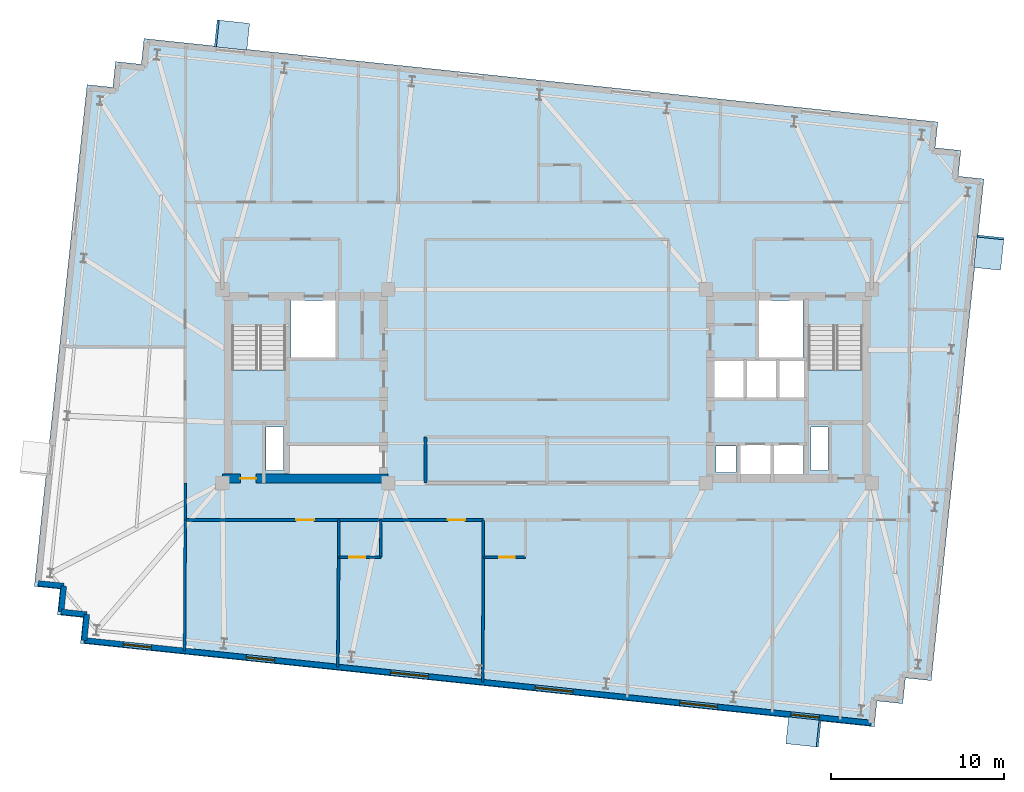
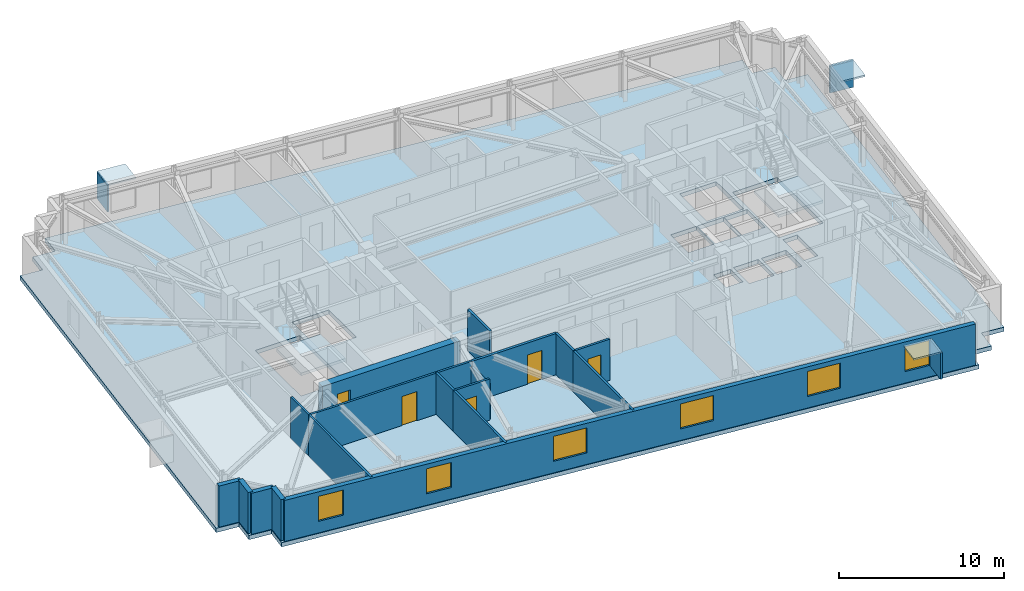
# One storey, part 5 of 11: 19 walls, 6 plates, 6 windows, 5 doors, 3 slabs, 11 openings, 2 elements without a shape of their own.
"""IFC4 building model written with IfcOpenShell, lengths in metres."""

from ifc_helpers import new_model, si_unit, direction, frame, frame_2d, origin, origin_2d, place, context, subcontext, project, spatial, polyline, rectangle, outline, extrude, material, layer, layer_set, type_object, element, fill, aggregate, save


model = new_model("IFC4")

# Units and contexts
model_context = context("Model", 3, precision=1e-05, world=origin(), true_north=direction((0.0, 1.0)))
body_context = subcontext(model_context, "Body", "Model", "MODEL_VIEW")
ifc_project = project(units=[si_unit("LENGTHUNIT", "METRE"), si_unit("AREAUNIT", "SQUARE_METRE"), si_unit("VOLUMEUNIT", "CUBIC_METRE"), si_unit("PLANEANGLEUNIT", "RADIAN"), si_unit("MASSUNIT", "GRAM", prefix="KILO")], contexts=[model_context])

# Site, building, storey
site_placement = place(None, origin())
site = spatial("IfcSite", under=ifc_project, at=site_placement, CompositionType="ELEMENT")
building_placement = place(site_placement, origin())
building = spatial("IfcBuilding", under=site, at=building_placement, Name="Qobustan Lattice House", CompositionType="ELEMENT")
storey_placement = place(building_placement, frame((0.0, 0.0, 193.050048828125)))
storey = spatial("IfcBuildingStorey", under=building, at=storey_placement, Name="L54", CompositionType="ELEMENT", Elevation=193.050048828125)

# Plates
ifc_material_1 = material(Name="Qobustan limestone GFRC", Category="masonry")
ifc_layer_1 = layer(ifc_material_1, 0.1201171875)
ifc_layer_set_1 = layer_set([ifc_layer_1], Name="Qobustan limestone GFRC")
plate_type = type_object("IfcPlateType", Name="SHD-HOOD-BROW", PredefinedType="USERDEFINED", material=ifc_layer_set_1)
plate_1_placement = place(storey_placement, frame((-18.240966796875, 20.31689453125, 2.699951171875), z_axis=(0.0, 0.0, 1.0), x_axis=(0.994521895368, -0.104528463268, 0.0)))
element("IfcPlate", 1, at=plate_1_placement, inside=storey, type_object=plate_type, Name="L54 splayed Qobustan stone hood brow", ObjectType="SUNSHADE", PredefinedType="USERDEFINED", context=body_context, shape_type="SweptSolid", body=[
    extrude(rectangle(XDim=1.889892578125, YDim=1.56005859375, at=origin_2d()), origin(), (0.0, 0.0, 1.0), 0.1201171875),
])
plate_2_placement = place(storey_placement, frame((-19.12109375, 20.409423828125, 0.7900390625), z_axis=(0.0, 0.0, 1.0), x_axis=(0.994521895368, -0.104528463268, 0.0)))
element("IfcPlate", 2, at=plate_2_placement, inside=storey, type_object=plate_type, Name="L54 splayed Qobustan stone hood cheek", ObjectType="SUNSHADE", PredefinedType="USERDEFINED", context=body_context, shape_type="SweptSolid", body=[
    extrude(rectangle(XDim=0.1201171875, YDim=1.56005859375, at=origin_2d()), origin(), (0.0, 0.0, 1.0), 1.969970703125),
])
plate_3_placement = place(storey_placement, frame((25.56884765625, 7.7275390625, 2.699951171875), z_axis=(0.0, 0.0, 1.0), x_axis=(-0.104528463268, -0.994521895368, 0.0)))
element("IfcPlate", 3, at=plate_3_placement, inside=storey, type_object=plate_type, Name="L54 splayed Qobustan stone hood brow", ObjectType="SUNSHADE", PredefinedType="USERDEFINED", context=body_context, shape_type="SweptSolid", body=[
    extrude(rectangle(XDim=1.889892578125, YDim=1.56005859375, at=origin_2d()), origin(), (0.0, 0.0, 1.0), 0.1201171875),
])
plate_4_placement = place(storey_placement, frame((25.661376953125, 8.607666015625, 0.7900390625), z_axis=(0.0, 0.0, 1.0), x_axis=(-0.104528463268, -0.994521895368, 0.0)))
element("IfcPlate", 4, at=plate_4_placement, inside=storey, type_object=plate_type, Name="L54 splayed Qobustan stone hood cheek", ObjectType="SUNSHADE", PredefinedType="USERDEFINED", context=body_context, shape_type="SweptSolid", body=[
    extrude(rectangle(XDim=0.1201171875, YDim=1.56005859375, at=origin_2d()), origin(), (0.0, 0.0, 1.0), 1.969970703125),
])
plate_5_placement = place(storey_placement, frame((14.836181640625, -20.021484375, 2.699951171875), z_axis=(0.0, 0.0, 1.0), x_axis=(-0.994521895368, 0.104528463268, 0.0)))
element("IfcPlate", 5, at=plate_5_placement, inside=storey, type_object=plate_type, Name="L54 splayed Qobustan stone hood brow", ObjectType="SUNSHADE", PredefinedType="USERDEFINED", context=body_context, shape_type="SweptSolid", body=[
    extrude(rectangle(XDim=1.889892578125, YDim=1.56005859375, at=origin_2d()), origin(), (0.0, 0.0, 1.0), 0.1201171875),
])
plate_6_placement = place(storey_placement, frame((15.71630859375, -20.114013671875, 0.7900390625), z_axis=(0.0, 0.0, 1.0), x_axis=(-0.994521895368, 0.104528463268, 0.0)))
element("IfcPlate", 6, at=plate_6_placement, inside=storey, type_object=plate_type, Name="L54 splayed Qobustan stone hood cheek", ObjectType="SUNSHADE", PredefinedType="USERDEFINED", context=body_context, shape_type="SweptSolid", body=[
    extrude(rectangle(XDim=0.1201171875, YDim=1.56005859375, at=origin_2d()), origin(), (0.0, 0.0, 1.0), 1.969970703125),
])

# Slab
ifc_material_2 = material(Name="Concrete C40/50", Category="concrete")
ifc_layer_2 = layer(ifc_material_2, 0.31005859375)
ifc_layer_set_2 = layer_set([ifc_layer_2], Name="Concrete C40/50")
slab_type_1 = type_object("IfcSlabType", Name="SLB-FLR-310", PredefinedType="FLOOR", material=ifc_layer_set_2)
slab_1_placement = place(storey_placement, frame((0.0, 0.0, -0.31005859375)))
element("IfcSlab", 7, at=slab_1_placement, inside=storey, type_object=slab_type_1, Name="L54 structural floor slab", PredefinedType="FLOOR", context=body_context, shape_type="SweptSolid", body=[
    extrude(outline(polyline([(-27.01318359375, -14.888916015625), (18.933837890625, -19.71826171875), (19.090576171875, -18.226318359375), (20.582275390625, -18.38330078125), (20.739013671875, -16.891357421875), (22.23095703125, -17.048095703125), (25.283203125, 11.99169921875), (23.79150390625, 12.148681640625), (23.947998046875, 13.640380859375), (22.456298828125, 13.797119140625), (22.61328125, 15.2890625), (-23.333740234375, 20.1181640625), (-23.490478515625, 18.62646484375), (-24.982421875, 18.783203125), (-25.13916015625, 17.29150390625), (-26.630859375, 17.4482421875), (-29.68310546875, -11.591796875), (-28.19140625, -11.74853515625), (-28.34814453125, -13.240478515625), (-26.8564453125, -13.397216796875), (-27.01318359375, -14.888916015625)]), holes=[polyline([(-18.25, -2.050048828125), (-18.25, 3.489990234375), (-15.1298828125, 3.489990234375), (-15.1298828125, -2.050048828125), (-18.25, -2.050048828125)]), polyline([(15.1298828125, -2.050048828125), (15.1298828125, 3.489990234375), (18.25, 3.489990234375), (18.25, -2.050048828125), (15.1298828125, -2.050048828125)]), polyline([(-14.820068359375, 1.64990234375), (-14.820068359375, 4.9599609375), (-12.25, 4.9599609375), (-12.25, 1.64990234375), (-14.820068359375, 1.64990234375)]), polyline([(12.25, 1.64990234375), (12.25, 4.9599609375), (14.820068359375, 4.9599609375), (14.820068359375, 1.64990234375), (12.25, 1.64990234375)]), polyline([(-16.260009765625, -4.8798828125), (-16.260009765625, -2.360107421875), (-15.260009765625, -2.360107421875), (-15.260009765625, -4.8798828125), (-16.260009765625, -4.8798828125)]), polyline([(15.260009765625, -4.8798828125), (15.260009765625, -2.360107421875), (16.260009765625, -2.360107421875), (16.260009765625, -4.8798828125), (15.260009765625, -4.8798828125)]), polyline([(11.179931640625, -5.35009765625), (11.179931640625, -3.419921875), (12.919921875, -3.419921875), (12.919921875, -5.35009765625), (11.179931640625, -5.35009765625)]), polyline([(13.1201171875, -5.35009765625), (13.1201171875, -3.419921875), (14.85009765625, -3.419921875), (14.85009765625, -5.35009765625), (13.1201171875, -5.35009765625)]), polyline([(9.760009765625, -5.0), (9.760009765625, -3.47998046875), (10.93994140625, -3.47998046875), (10.93994140625, -5.0), (9.760009765625, -5.0)]), polyline([(13.360107421875, -0.679931640625), (13.360107421875, 1.47998046875), (14.97998046875, 1.47998046875), (14.97998046875, -0.679931640625), (13.360107421875, -0.679931640625)]), polyline([(9.6201171875, -0.679931640625), (9.6201171875, 1.47998046875), (11.43994140625, 1.47998046875), (11.43994140625, -0.679931640625), (9.6201171875, -0.679931640625)]), polyline([(11.5, -0.679931640625), (11.5, 1.47998046875), (13.320068359375, 1.47998046875), (13.320068359375, -0.679931640625), (11.5, -0.679931640625)])]), origin(), (0.0, 0.0, 1.0), 0.31005859375),
])

# Stair, slab
ifc_material_3 = material(Name="Concrete C40/50", Category="concrete")
stair_type = type_object("IfcStairType", Name="STR-CORE-DOGLEG", PredefinedType="HALF_TURN_STAIR", material=ifc_material_3)
stair_1_placement = place(storey_placement, origin())
stair_1 = element("IfcStair", 8, at=stair_1_placement, inside=storey, type_object=stair_type, Name="L54 West protected exit stair ST-W1", PredefinedType="HALF_TURN_STAIR")
ifc_material_4 = material(Name="Concrete C40/50", Category="concrete")
ifc_layer_3 = layer(ifc_material_4, 0.199951171875)
ifc_layer_set_3 = layer_set([ifc_layer_3], Name="Concrete C40/50")
slab_type_2 = type_object("IfcSlabType", Name="SLB-LANDING-200", PredefinedType="LANDING", material=ifc_layer_set_3)
slab_2_placement = place(storey_placement, frame((0.0, 0.0, 1.474853515625)))
slab_2 = element("IfcSlab", 9, at=slab_2_placement, type_object=slab_type_2, Name="ST-W1 landing 1", PredefinedType="LANDING", context=body_context, shape_type="SweptSolid", body=[
    extrude(outline(polyline([(-18.25, 0.93505859375), (-18.25, -2.050048828125), (-15.1298828125, -2.050048828125), (-15.1298828125, 0.93505859375), (-18.25, 0.93505859375)])), origin(), (0.0, 0.0, 1.0), 0.2001953125),
])
aggregate(stair_1, [slab_2])

stair_2_placement = place(storey_placement, origin())
stair_2 = element("IfcStair", 10, at=stair_2_placement, inside=storey, type_object=stair_type, Name="L54 East protected exit stair ST-E1", PredefinedType="HALF_TURN_STAIR")
slab_3_placement = place(storey_placement, frame((0.0, 0.0, 1.474853515625)))
slab_3 = element("IfcSlab", 11, at=slab_3_placement, type_object=slab_type_2, Name="ST-E1 landing 1", PredefinedType="LANDING", context=body_context, shape_type="SweptSolid", body=[
    extrude(outline(polyline([(15.1298828125, 0.93505859375), (15.1298828125, -2.050048828125), (18.25, -2.050048828125), (18.25, 0.93505859375), (15.1298828125, 0.93505859375)])), origin(), (0.0, 0.0, 1.0), 0.2001953125),
])
aggregate(stair_2, [slab_3])

# Wall, opening, door
ifc_material_5 = material(Name="Concrete C50/60", Category="concrete")
ifc_layer_4 = layer(ifc_material_5, 0.5)
ifc_layer_set_4 = layer_set([ifc_layer_4], Name="Concrete C50/60")
wall_type_1 = type_object("IfcWallType", Name="WAL-CORE-500", PredefinedType="SHEAR", material=ifc_layer_set_4)
wall_1_placement = place(storey_placement, frame((-18.800048828125, -5.35009765625, 0.0), z_axis=(0.0, 0.0, 1.0), x_axis=(1.0, 0.0, 0.0)))
wall_1 = element("IfcWall", 12, at=wall_1_placement, inside=storey, type_object=wall_type_1, Name="L54 split-core shear wall CW-S", PredefinedType="SHEAR", context=body_context, shape_type="SweptSolid", body=[
    extrude(rectangle(XDim=9.60009765625, YDim=0.5, at=frame_2d((4.800048828125, 0.0))), origin(), (0.0, 0.0, 1.0), 3.0400390625),
])
opening_1_placement = place(wall_1_placement, frame((1.050048828125, 0.0, 0.0)))
opening_1 = element("IfcOpeningElement", 13, at=opening_1_placement, cuts=wall_1, Name="Opening RD-01", PredefinedType="OPENING", context=body_context, shape_type="SweptSolid", body=[
    extrude(rectangle(XDim=0.89990234375, YDim=2.10009765625, at=frame_2d((0.449951171875, 1.050048828125))), frame((0.0, 0.260009765625, 0.0), z_axis=(0.0, -1.0, 0.0), x_axis=(1.0, 0.0, 0.0)), (0.0, 0.0, 1.0), 0.52001953125),
])
ifc_material_6 = material(Name="Persian walnut timber and steel frame door", Category="steel")
door_type_1 = type_object("IfcDoorType", Name="DOR-RISER-FD-900x2100", OperationType="NOTDEFINED", PredefinedType="DOOR", material=ifc_material_6)
door_1_placement = place(opening_1_placement, origin())
door_1 = element("IfcDoor", 14, at=door_1_placement, inside=storey, type_object=door_type_1, Name="L54 core service riser access door W", OperationType="SINGLE_SWING_LEFT", OverallHeight=2.10009765625, OverallWidth=0.89990234375, PredefinedType="DOOR", context=body_context, shape_type="SweptSolid", body=[
    extrude(rectangle(XDim=0.89990234375, YDim=2.10009765625, at=frame_2d((0.449951171875, 1.050048828125))), frame((0.0, 0.02490234375, 0.0), z_axis=(0.0, -1.0, 0.0), x_axis=(1.0, 0.0, 0.0)), (0.0, 0.0, 1.0), 0.050048828125),
])
fill(opening_1, door_1)

# Walls
ifc_material_7 = material(Name="Precast concrete C40/50", Category="concrete")
ifc_layer_5 = layer(ifc_material_7, 0.320068359375)
ifc_layer_set_5 = layer_set([ifc_layer_5], Name="Precast concrete C40/50")
wall_type_2 = type_object("IfcWallType", Name="WAL-EXT-STONE-320", PredefinedType="SOLIDWALL", material=ifc_layer_set_5)
for number, where, z_axis, x_axis, name in (
    (15, (-26.79345703125, -14.7109375, 0.0), (0.0, 0.0, 1.0), (0.104498377516, 0.994525057048, 0.0), "L54 exterior limestone-clad wall 1"),
    (16, (-26.63671875, -13.21923828125, 0.0), (0.0, 0.0, 1.0), (-0.994525057048, 0.104498377516, 0.0), "L54 exterior limestone-clad wall 2"),
):
    element("IfcWall", number, at=place(storey_placement, frame(where, z_axis=z_axis, x_axis=x_axis)), inside=storey, type_object=wall_type_2, Name=name, PredefinedType="SOLIDWALL", context=body_context, shape_type="SweptSolid", body=[
        extrude(rectangle(XDim=1.5, YDim=0.320068359375, at=frame_2d((0.75, 0.0))), origin(), (0.0, 0.0, 1.0), 3.0400390625),
    ])
wall_2_placement = place(storey_placement, frame((-28.12841796875, -13.0625, 0.0), z_axis=(0.0, 0.0, 1.0), x_axis=(0.104481464157, 0.994526834051, 0.0)))
element("IfcWall", 17, at=wall_2_placement, inside=storey, type_object=wall_type_2, Name="L54 exterior limestone-clad wall 3", PredefinedType="SOLIDWALL", context=body_context, shape_type="SweptSolid", body=[
    extrude(rectangle(XDim=1.500244140625, YDim=0.320068359375, at=frame_2d((0.75, 0.0))), origin(), (0.0, 0.0, 1.0), 3.0400390625),
])
wall_3_placement = place(storey_placement, frame((-27.9716796875, -11.570556640625, 0.0), z_axis=(0.0, 0.0, 1.0), x_axis=(-0.994525057048, 0.104498377516, 0.0)))
element("IfcWall", 18, at=wall_3_placement, inside=storey, type_object=wall_type_2, Name="L54 exterior limestone-clad wall 4", PredefinedType="SOLIDWALL", context=body_context, shape_type="SweptSolid", body=[
    extrude(rectangle(XDim=1.5, YDim=0.320068359375, at=frame_2d((0.75, 0.0))), origin(), (0.0, 0.0, 1.0), 3.0400390625),
])

# Wall, openings, windows
wall_4_placement = place(storey_placement, frame((18.755859375, -19.498291015625, 0.0), z_axis=(0.0, 0.0, 1.0), x_axis=(-0.994522060044, 0.104526896475, 0.0)))
wall_4 = element("IfcWall", 19, at=wall_4_placement, inside=storey, type_object=wall_type_2, Name="L54 exterior limestone-clad wall 20", PredefinedType="SOLIDWALL", context=body_context, shape_type="SweptSolid", body=[
    extrude(rectangle(XDim=45.80029296875, YDim=0.320068359375, at=frame_2d((22.900146484375, 0.0))), origin(), (0.0, 0.0, 1.0), 3.0400390625),
])
opening_2_placement = place(wall_4_placement, frame((3.018310546875, 0.0, 0.85009765625)))
opening_2 = element("IfcOpeningElement", 20, at=opening_2_placement, cuts=wall_4, Name="Opening WN-09", PredefinedType="OPENING", context=body_context, shape_type="SweptSolid", body=[
    extrude(rectangle(XDim=1.64990234375, YDim=1.85009765625, at=frame_2d((0.824951171875, 0.925048828125))), frame((0.0, 0.169921875, 0.0), z_axis=(0.0, -1.0, 0.0), x_axis=(1.0, 0.0, 0.0)), (0.0, 0.0, 1.0), 0.340087890625),
])
opening_3_placement = place(wall_4_placement, frame((8.94873046875, 0.0, 0.85009765625)))
opening_3 = element("IfcOpeningElement", 21, at=opening_3_placement, cuts=wall_4, Name="Opening WN-03", PredefinedType="OPENING", context=body_context, shape_type="SweptSolid", body=[
    extrude(rectangle(XDim=2.199951171875, YDim=1.85009765625, at=frame_2d((1.10009765625, 0.925048828125))), frame((0.0, 0.169921875, 0.0), z_axis=(0.0, -1.0, 0.0), x_axis=(1.0, 0.0, 0.0)), (0.0, 0.0, 1.0), 0.340087890625),
])
opening_4_placement = place(wall_4_placement, frame((17.356201171875, 0.0, 0.85009765625)))
opening_4 = element("IfcOpeningElement", 22, at=opening_4_placement, cuts=wall_4, Name="Opening WN-03", PredefinedType="OPENING", context=body_context, shape_type="SweptSolid", body=[
    extrude(rectangle(XDim=2.199951171875, YDim=1.85009765625, at=frame_2d((1.10009765625, 0.925048828125))), frame((0.0, 0.169921875, 0.0), z_axis=(0.0, -1.0, 0.0), x_axis=(1.0, 0.0, 0.0)), (0.0, 0.0, 1.0), 0.340087890625),
])
opening_5_placement = place(wall_4_placement, frame((25.763427734375, 0.0, 0.85009765625)))
opening_5 = element("IfcOpeningElement", 23, at=opening_5_placement, cuts=wall_4, Name="Opening WN-03", PredefinedType="OPENING", context=body_context, shape_type="SweptSolid", body=[
    extrude(rectangle(XDim=2.199951171875, YDim=1.85009765625, at=frame_2d((1.10009765625, 0.925048828125))), frame((0.0, 0.169921875, 0.0), z_axis=(0.0, -1.0, 0.0), x_axis=(1.0, 0.0, 0.0)), (0.0, 0.0, 1.0), 0.340087890625),
])
opening_6_placement = place(wall_4_placement, frame((34.72607421875, 0.0, 0.85009765625)))
opening_6 = element("IfcOpeningElement", 24, at=opening_6_placement, cuts=wall_4, Name="Opening WN-09", PredefinedType="OPENING", context=body_context, shape_type="SweptSolid", body=[
    extrude(rectangle(XDim=1.64990234375, YDim=1.85009765625, at=frame_2d((0.824951171875, 0.925048828125))), frame((0.0, 0.169921875, 0.0), z_axis=(0.0, -1.0, 0.0), x_axis=(1.0, 0.0, 0.0)), (0.0, 0.0, 1.0), 0.340087890625),
])
opening_7_placement = place(wall_4_placement, frame((41.892333984375, 0.0, 0.85009765625)))
opening_7 = element("IfcOpeningElement", 25, at=opening_7_placement, cuts=wall_4, Name="Opening WN-09", PredefinedType="OPENING", context=body_context, shape_type="SweptSolid", body=[
    extrude(rectangle(XDim=1.64990234375, YDim=1.85009765625, at=frame_2d((0.824951171875, 0.925048828125))), frame((0.0, 0.169921875, 0.0), z_axis=(0.0, -1.0, 0.0), x_axis=(1.0, 0.0, 0.0)), (0.0, 0.0, 1.0), 0.340087890625),
])
ifc_material_8 = material(Name="Double-glazed low-E aluminium window", Category="aluminium")
window_type_1 = type_object("IfcWindowType", Name="WIN-STU-1650x1850", PartitioningType="SINGLE_PANEL", PredefinedType="WINDOW", material=ifc_material_8)
window_1_placement = place(opening_2_placement, origin())
window_1 = element("IfcWindow", 26, at=window_1_placement, inside=storey, type_object=window_type_1, Name="L54 Group study room window", OverallHeight=1.85009765625, OverallWidth=1.64990234375, PartitioningType="SINGLE_PANEL", PredefinedType="WINDOW", context=body_context, shape_type="SweptSolid", body=[
    extrude(rectangle(XDim=1.64990234375, YDim=1.85009765625, at=frame_2d((0.824951171875, 0.925048828125))), frame((0.0, 0.030029296875, 0.0), z_axis=(0.0, -1.0, 0.0), x_axis=(1.0, 0.0, 0.0)), (0.0, 0.0, 1.0), 0.06005859375),
])
fill(opening_2, window_1)
window_2_placement = place(opening_6_placement, origin())
window_2 = element("IfcWindow", 27, at=window_2_placement, inside=storey, type_object=window_type_1, Name="L54 Focus study room S1 window", OverallHeight=1.85009765625, OverallWidth=1.64990234375, PartitioningType="SINGLE_PANEL", PredefinedType="WINDOW", context=body_context, shape_type="SweptSolid", body=[
    extrude(rectangle(XDim=1.64990234375, YDim=1.85009765625, at=frame_2d((0.824951171875, 0.925048828125))), frame((0.0, 0.030029296875, 0.0), z_axis=(0.0, -1.0, 0.0), x_axis=(1.0, 0.0, 0.0)), (0.0, 0.0, 1.0), 0.06005859375),
])
fill(opening_6, window_2)
window_3_placement = place(opening_7_placement, origin())
window_3 = element("IfcWindow", 28, at=window_3_placement, inside=storey, type_object=window_type_1, Name="L54 Fellows reading room window", OverallHeight=1.85009765625, OverallWidth=1.64990234375, PartitioningType="SINGLE_PANEL", PredefinedType="WINDOW", context=body_context, shape_type="SweptSolid", body=[
    extrude(rectangle(XDim=1.64990234375, YDim=1.85009765625, at=frame_2d((0.824951171875, 0.925048828125))), frame((0.0, 0.030029296875, 0.0), z_axis=(0.0, -1.0, 0.0), x_axis=(1.0, 0.0, 0.0)), (0.0, 0.0, 1.0), 0.06005859375),
])
fill(opening_7, window_3)
ifc_material_9 = material(Name="Double-glazed low-E aluminium window", Category="aluminium")
window_type_2 = type_object("IfcWindowType", Name="WIN-WIDE-2200x1850", PartitioningType="SINGLE_PANEL", PredefinedType="WINDOW", material=ifc_material_9)
window_4_placement = place(opening_3_placement, origin())
window_4 = element("IfcWindow", 29, at=window_4_placement, inside=storey, type_object=window_type_2, Name="L54 Kitchenette and studio apartment L54-S4 window", OverallHeight=1.85009765625, OverallWidth=2.199951171875, PartitioningType="SINGLE_PANEL", PredefinedType="WINDOW", context=body_context, shape_type="SweptSolid", body=[
    extrude(rectangle(XDim=2.199951171875, YDim=1.85009765625, at=frame_2d((1.10009765625, 0.925048828125))), frame((0.0, 0.030029296875, 0.0), z_axis=(0.0, -1.0, 0.0), x_axis=(1.0, 0.0, 0.0)), (0.0, 0.0, 1.0), 0.06005859375),
])
fill(opening_3, window_4)
window_5_placement = place(opening_4_placement, origin())
window_5 = element("IfcWindow", 30, at=window_5_placement, inside=storey, type_object=window_type_2, Name="L54 Kitchenette and studio apartment L54-S3 window", OverallHeight=1.85009765625, OverallWidth=2.199951171875, PartitioningType="SINGLE_PANEL", PredefinedType="WINDOW", context=body_context, shape_type="SweptSolid", body=[
    extrude(rectangle(XDim=2.199951171875, YDim=1.85009765625, at=frame_2d((1.10009765625, 0.925048828125))), frame((0.0, 0.030029296875, 0.0), z_axis=(0.0, -1.0, 0.0), x_axis=(1.0, 0.0, 0.0)), (0.0, 0.0, 1.0), 0.06005859375),
])
fill(opening_4, window_5)
window_6_placement = place(opening_5_placement, origin())
window_6 = element("IfcWindow", 31, at=window_6_placement, inside=storey, type_object=window_type_2, Name="L54 Kitchenette and studio apartment L54-S2 window", OverallHeight=1.85009765625, OverallWidth=2.199951171875, PartitioningType="SINGLE_PANEL", PredefinedType="WINDOW", context=body_context, shape_type="SweptSolid", body=[
    extrude(rectangle(XDim=2.199951171875, YDim=1.85009765625, at=frame_2d((1.10009765625, 0.925048828125))), frame((0.0, 0.030029296875, 0.0), z_axis=(0.0, -1.0, 0.0), x_axis=(1.0, 0.0, 0.0)), (0.0, 0.0, 1.0), 0.06005859375),
])
fill(opening_5, window_6)

# Wall, opening, door
ifc_material_10 = material(Name="Gypsum fireboard acoustic partition", Category="gypsum")
ifc_layer_6 = layer(ifc_material_10, 0.179931640625)
ifc_layer_set_6 = layer_set([ifc_layer_6], Name="Gypsum fireboard acoustic partition")
wall_type_3 = type_object("IfcWallType", Name="WAL-FIRE-180", PredefinedType="PARTITIONING", material=ifc_layer_set_6)
wall_5_placement = place(storey_placement, frame((-3.68994140625, -7.75, 0.0), z_axis=(0.0, 0.0, 1.0), x_axis=(-1.0, 0.0, 0.0)))
wall_5 = element("IfcWall", 32, at=wall_5_placement, inside=storey, type_object=wall_type_3, Name="L54 interior partition 48", PredefinedType="PARTITIONING", context=body_context, shape_type="SweptSolid", body=[
    extrude(rectangle(XDim=5.93017578125, YDim=0.179931640625, at=frame_2d((2.965087890625, 0.0))), origin(), (0.0, 0.0, 1.0), 3.0400390625),
])
opening_8_placement = place(wall_5_placement, frame((1.05126953125, 0.0, 0.0)))
opening_8 = element("IfcOpeningElement", 33, at=opening_8_placement, cuts=wall_5, Name="Opening FD-02", PredefinedType="OPENING", context=body_context, shape_type="SweptSolid", body=[
    extrude(rectangle(XDim=1.0, YDim=2.14990234375, at=frame_2d((0.5, 1.074951171875))), frame((0.0, 0.099853515625, 0.0), z_axis=(0.0, -1.0, 0.0), x_axis=(1.0, 0.0, 0.0)), (0.0, 0.0, 1.0), 0.199951171875),
])
ifc_material_11 = material(Name="Persian walnut timber and steel frame door", Category="steel")
door_type_2 = type_object("IfcDoorType", Name="DOR-UNIT-FD-1000x2150", OperationType="NOTDEFINED", PredefinedType="DOOR", material=ifc_material_11)
door_2_placement = place(opening_8_placement, origin())
door_2 = element("IfcDoor", 34, at=door_2_placement, inside=storey, type_object=door_type_2, Name="L54 South-west floor corridor to Kitchenette and studio apartment L54-S2 door", OperationType="SINGLE_SWING_RIGHT", OverallHeight=2.14990234375, OverallWidth=1.0, PredefinedType="DOOR", context=body_context, shape_type="SweptSolid", body=[
    extrude(rectangle(XDim=1.0, YDim=2.14990234375, at=frame_2d((0.5, 1.074951171875))), frame((0.0, 0.02490234375, 0.0), z_axis=(0.0, -1.0, 0.0), x_axis=(1.0, 0.0, 0.0)), (0.0, 0.0, 1.0), 0.050048828125),
])
fill(opening_8, door_2)

# Wall
ifc_material_12 = material(Name="Acoustic twin-stud gypsum partition", Category="gypsum")
ifc_layer_7 = layer(ifc_material_12, 0.14990234375)
ifc_layer_set_7 = layer_set([ifc_layer_7], Name="Acoustic twin-stud gypsum partition")
wall_type_4 = type_object("IfcWallType", Name="WAL-PART-150", PredefinedType="PARTITIONING", material=ifc_layer_set_7)
wall_6_placement = place(storey_placement, frame((-20.949951171875, -7.75, 0.0), z_axis=(0.0, 0.0, 1.0), x_axis=(0.0, 1.0, 0.0)))
element("IfcWall", 35, at=wall_6_placement, inside=storey, type_object=wall_type_4, Name="L54 interior partition 46", PredefinedType="PARTITIONING", context=body_context, shape_type="SweptSolid", body=[
    extrude(rectangle(XDim=2.14990234375, YDim=0.14990234375, at=frame_2d((1.074951171875, 0.0))), origin(), (0.0, 0.0, 1.0), 3.0400390625),
])

# Wall, opening, door
wall_7_placement = place(storey_placement, frame((-12.070068359375, -7.75, 0.0), z_axis=(0.0, 0.0, 1.0), x_axis=(-1.0, 0.0, 0.0)))
wall_7 = element("IfcWall", 36, at=wall_7_placement, inside=storey, type_object=wall_type_4, Name="L54 interior partition 47", PredefinedType="PARTITIONING", context=body_context, shape_type="SweptSolid", body=[
    extrude(rectangle(XDim=8.8798828125, YDim=0.14990234375, at=frame_2d((4.43994140625, 0.0))), origin(), (0.0, 0.0, 1.0), 3.0400390625),
])
opening_9_placement = place(wall_7_placement, frame((1.413818359375, 0.0, 0.0)))
opening_9 = element("IfcOpeningElement", 37, at=opening_9_placement, cuts=wall_7, Name="Opening ID-02", PredefinedType="OPENING", context=body_context, shape_type="SweptSolid", body=[
    extrude(rectangle(XDim=1.050048828125, YDim=2.14990234375, at=frame_2d((0.52490234375, 1.074951171875))), frame((0.0, 0.0849609375, 0.0), z_axis=(0.0, -1.0, 0.0), x_axis=(1.0, 0.0, 0.0)), (0.0, 0.0, 1.0), 0.169921875),
])
ifc_material_13 = material(Name="Persian walnut timber and steel frame door", Category="steel")
door_type_3 = type_object("IfcDoorType", Name="DOR-STUDY-1050x2150", OperationType="NOTDEFINED", PredefinedType="DOOR", material=ifc_material_13)
door_3_placement = place(opening_9_placement, origin())
door_3 = element("IfcDoor", 38, at=door_3_placement, inside=storey, type_object=door_type_3, Name="L54 South-west floor corridor to Focus study room S1 door", OperationType="SINGLE_SWING_LEFT", OverallHeight=2.14990234375, OverallWidth=1.050048828125, PredefinedType="DOOR", context=body_context, shape_type="SweptSolid", body=[
    extrude(rectangle(XDim=1.050048828125, YDim=2.14990234375, at=frame_2d((0.52490234375, 1.074951171875))), frame((0.0, 0.02490234375, 0.0), z_axis=(0.0, -1.0, 0.0), x_axis=(1.0, 0.0, 0.0)), (0.0, 0.0, 1.0), 0.050048828125),
])
fill(opening_9, door_3)

# Walls
wall_8_placement = place(storey_placement, frame((-20.949951171875, -7.75, 0.0), z_axis=(0.0, 0.0, 1.0), x_axis=(-0.005804668564, -0.99998315277, 0.0)))
element("IfcWall", 39, at=wall_8_placement, inside=storey, type_object=wall_type_4, Name="L54 interior partition 72", PredefinedType="PARTITIONING", context=body_context, shape_type="SweptSolid", body=[
    extrude(rectangle(XDim=7.57080078125, YDim=0.14990234375, at=frame_2d((3.785400390625, 0.0))), origin(), (0.0, 0.0, 1.0), 3.0400390625),
])
wall_9_placement = place(storey_placement, frame((-12.070068359375, -9.89990234375, 0.0), z_axis=(0.0, 0.0, 1.0), x_axis=(-0.006915995357, -0.999976084218, 0.0)))
element("IfcWall", 40, at=wall_9_placement, inside=storey, type_object=wall_type_4, Name="L54 interior partition 86", PredefinedType="PARTITIONING", context=body_context, shape_type="SweptSolid", body=[
    extrude(rectangle(XDim=6.354248046875, YDim=0.14990234375, at=frame_2d((3.17724609375, 0.0))), origin(), (0.0, 0.0, 1.0), 3.0400390625),
])
wall_10_placement = place(storey_placement, frame((-3.68994140625, -9.89990234375, 0.0), z_axis=(0.0, 0.0, 1.0), x_axis=(-0.006074196988, -0.999981551895, 0.0)))
element("IfcWall", 41, at=wall_10_placement, inside=storey, type_object=wall_type_4, Name="L54 interior partition 90", PredefinedType="PARTITIONING", context=body_context, shape_type="SweptSolid", body=[
    extrude(rectangle(XDim=7.23486328125, YDim=0.14990234375, at=frame_2d((3.617431640625, 0.0))), origin(), (0.0, 0.0, 1.0), 3.0400390625),
])
ifc_material_14 = material(Name="High-mass acoustic twin-stud partition", Category="gypsum")
ifc_layer_8 = layer(ifc_material_14, 0.1650390625)
ifc_layer_set_8 = layer_set([ifc_layer_8], Name="High-mass acoustic twin-stud partition")
wall_type_5 = type_object("IfcWallType", Name="WAL-PART-165", PredefinedType="PARTITIONING", material=ifc_layer_set_8)
wall_11_placement = place(storey_placement, frame((-7.050048828125, -2.949951171875, 0.0), z_axis=(0.0, 0.0, 1.0), x_axis=(0.0, -1.0, 0.0)))
element("IfcWall", 42, at=wall_11_placement, inside=storey, type_object=wall_type_5, Name="L54 interior partition 68", PredefinedType="PARTITIONING", context=body_context, shape_type="SweptSolid", body=[
    extrude(rectangle(XDim=2.650146484375, YDim=0.1650390625, at=frame_2d((1.3251953125, 0.0))), origin(), (0.0, 0.0, 1.0), 3.0400390625),
])
ifc_material_15 = material(Name="Moisture-resistant acoustic plumbing wall", Category="gypsum")
ifc_layer_9 = layer(ifc_material_15, 0.14990234375)
ifc_layer_set_9 = layer_set([ifc_layer_9], Name="Moisture-resistant acoustic plumbing wall")
wall_type_6 = type_object("IfcWallType", Name="WAL-WET-150", PredefinedType="PLUMBINGWALL", material=ifc_layer_set_9)
wall_12_placement = place(storey_placement, frame((-9.6201171875, -7.75, 0.0), z_axis=(0.0, 0.0, 1.0), x_axis=(-1.0, 0.0, 0.0)))
element("IfcWall", 43, at=wall_12_placement, inside=storey, type_object=wall_type_6, Name="L54 interior partition 49", PredefinedType="PLUMBINGWALL", context=body_context, shape_type="SweptSolid", body=[
    extrude(rectangle(XDim=2.449951171875, YDim=0.14990234375, at=frame_2d((1.22509765625, 0.0))), origin(), (0.0, 0.0, 1.0), 3.0400390625),
])
wall_13_placement = place(storey_placement, frame((-12.070068359375, -7.75, 0.0), z_axis=(0.0, 0.0, 1.0), x_axis=(0.0, -1.0, 0.0)))
element("IfcWall", 44, at=wall_13_placement, inside=storey, type_object=wall_type_6, Name="L54 interior partition 87", PredefinedType="PLUMBINGWALL", context=body_context, shape_type="SweptSolid", body=[
    extrude(rectangle(XDim=2.14990234375, YDim=0.14990234375, at=frame_2d((1.074951171875, 0.0))), origin(), (0.0, 0.0, 1.0), 3.0400390625),
])

# Wall, opening, door
wall_14_placement = place(storey_placement, frame((-12.070068359375, -9.89990234375, 0.0), z_axis=(0.0, 0.0, 1.0), x_axis=(1.0, 0.0, 0.0)))
wall_14 = element("IfcWall", 45, at=wall_14_placement, inside=storey, type_object=wall_type_6, Name="L54 interior partition 88", PredefinedType="PLUMBINGWALL", context=body_context, shape_type="SweptSolid", body=[
    extrude(rectangle(XDim=2.449951171875, YDim=0.14990234375, at=frame_2d((1.22509765625, 0.0))), origin(), (0.0, 0.0, 1.0), 3.0400390625),
])
opening_10_placement = place(wall_14_placement, frame((0.62890625, 0.0, 0.0)))
opening_10 = element("IfcOpeningElement", 46, at=opening_10_placement, cuts=wall_14, Name="Opening WD-01", PredefinedType="OPENING", context=body_context, shape_type="SweptSolid", body=[
    extrude(rectangle(XDim=0.89990234375, YDim=2.10009765625, at=frame_2d((0.449951171875, 1.050048828125))), frame((0.0, 0.0849609375, 0.0), z_axis=(0.0, -1.0, 0.0), x_axis=(1.0, 0.0, 0.0)), (0.0, 0.0, 1.0), 0.169921875),
])
ifc_material_16 = material(Name="Persian walnut timber and steel frame door", Category="steel")
door_type_4 = type_object("IfcDoorType", Name="DOR-WET-900x2100", OperationType="NOTDEFINED", PredefinedType="DOOR", material=ifc_material_16)
door_4_placement = place(opening_10_placement, origin())
door_4 = element("IfcDoor", 47, at=door_4_placement, inside=storey, type_object=door_type_4, Name="L54 Kitchenette and studio apartment L54-S2 to En-suite bathroom L54-S2 door", OperationType="SINGLE_SWING_RIGHT", OverallHeight=2.10009765625, OverallWidth=0.89990234375, PredefinedType="DOOR", context=body_context, shape_type="SweptSolid", body=[
    extrude(rectangle(XDim=0.89990234375, YDim=2.10009765625, at=frame_2d((0.449951171875, 1.050048828125))), frame((0.0, 0.02490234375, 0.0), z_axis=(0.0, -1.0, 0.0), x_axis=(1.0, 0.0, 0.0)), (0.0, 0.0, 1.0), 0.050048828125),
])
fill(opening_10, door_4)

# Walls
wall_15_placement = place(storey_placement, frame((-9.6201171875, -9.89990234375, 0.0), z_axis=(0.0, 0.0, 1.0), x_axis=(0.0, 1.0, 0.0)))
element("IfcWall", 48, at=wall_15_placement, inside=storey, type_object=wall_type_6, Name="L54 interior partition 89", PredefinedType="PLUMBINGWALL", context=body_context, shape_type="SweptSolid", body=[
    extrude(rectangle(XDim=2.14990234375, YDim=0.14990234375, at=frame_2d((1.074951171875, 0.0))), origin(), (0.0, 0.0, 1.0), 2.6650390625),
])
wall_16_placement = place(storey_placement, frame((-3.68994140625, -7.75, 0.0), z_axis=(0.0, 0.0, 1.0), x_axis=(0.0, -1.0, 0.0)))
element("IfcWall", 49, at=wall_16_placement, inside=storey, type_object=wall_type_6, Name="L54 interior partition 91", PredefinedType="PLUMBINGWALL", context=body_context, shape_type="SweptSolid", body=[
    extrude(rectangle(XDim=2.14990234375, YDim=0.14990234375, at=frame_2d((1.074951171875, 0.0))), origin(), (0.0, 0.0, 1.0), 3.0400390625),
])

# Wall, opening, door
wall_17_placement = place(storey_placement, frame((-3.68994140625, -9.89990234375, 0.0), z_axis=(0.0, 0.0, 1.0), x_axis=(1.0, 0.0, 0.0)))
wall_17 = element("IfcWall", 50, at=wall_17_placement, inside=storey, type_object=wall_type_6, Name="L54 interior partition 92", PredefinedType="PLUMBINGWALL", context=body_context, shape_type="SweptSolid", body=[
    extrude(rectangle(XDim=2.449951171875, YDim=0.14990234375, at=frame_2d((1.22509765625, 0.0))), origin(), (0.0, 0.0, 1.0), 3.0400390625),
])
opening_11_placement = place(wall_17_placement, frame((0.92138671875, 0.0, 0.0)))
opening_11 = element("IfcOpeningElement", 51, at=opening_11_placement, cuts=wall_17, Name="Opening WD-01", PredefinedType="OPENING", context=body_context, shape_type="SweptSolid", body=[
    extrude(rectangle(XDim=0.89990234375, YDim=2.10009765625, at=frame_2d((0.449951171875, 1.050048828125))), frame((0.0, 0.0849609375, 0.0), z_axis=(0.0, -1.0, 0.0), x_axis=(1.0, 0.0, 0.0)), (0.0, 0.0, 1.0), 0.169921875),
])
door_5_placement = place(opening_11_placement, origin())
door_5 = element("IfcDoor", 52, at=door_5_placement, inside=storey, type_object=door_type_4, Name="L54 Kitchenette and studio apartment L54-S3 to En-suite bathroom L54-S3 door", OperationType="SINGLE_SWING_LEFT", OverallHeight=2.10009765625, OverallWidth=0.89990234375, PredefinedType="DOOR", context=body_context, shape_type="SweptSolid", body=[
    extrude(rectangle(XDim=0.89990234375, YDim=2.10009765625, at=frame_2d((0.449951171875, 1.050048828125))), frame((0.0, 0.02490234375, 0.0), z_axis=(0.0, -1.0, 0.0), x_axis=(1.0, 0.0, 0.0)), (0.0, 0.0, 1.0), 0.050048828125),
])
fill(opening_11, door_5)

save(model, "model.ifc")
